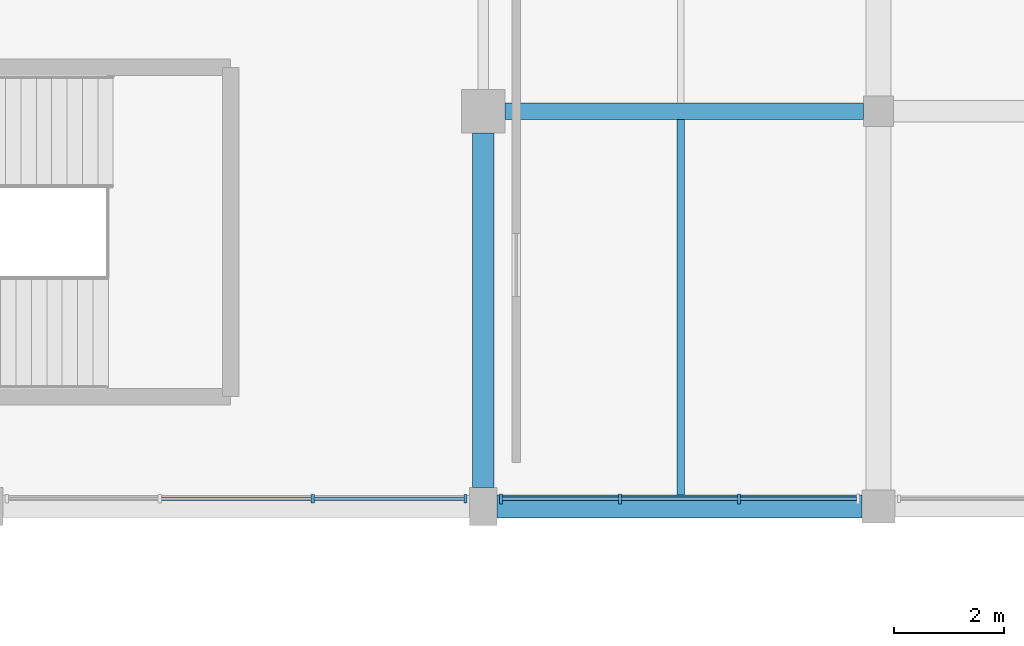
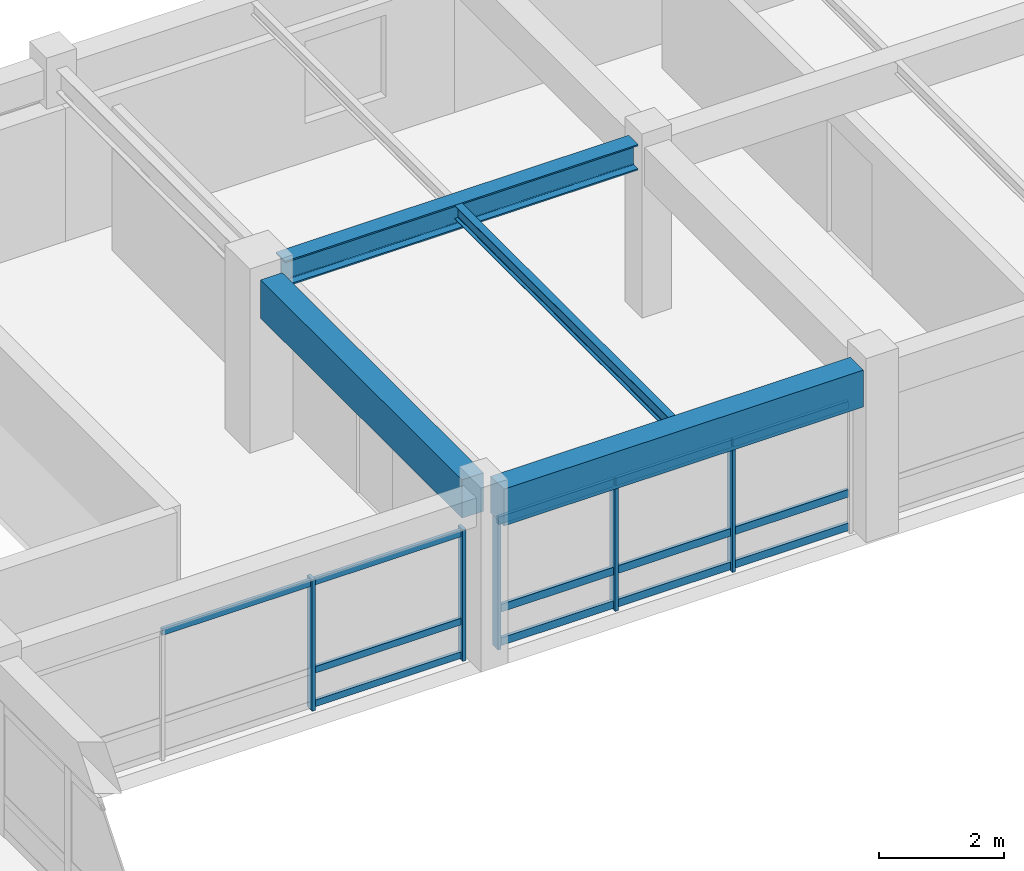
# One storey, part 24 of 74: 18 members, 4 beams, 2 elements without a shape of their own.
"""IFC4 building model written with IfcOpenShell, lengths in metres."""

from ifc_helpers import new_model, si_unit, direction, frame, origin, origin_2d, place, context, subcontext, project, spatial, rectangle, i_section, extrude, material, material_profile, profile_set, type_object, element, aggregate, save


model = new_model("IFC4")

# Units and contexts
model_context = context("Model", 3, precision=1e-05, world=origin(), true_north=direction((0.0, 1.0)))
body_context = subcontext(model_context, "Body", "Model", "MODEL_VIEW")
ifc_project = project(units=[si_unit("LENGTHUNIT", "METRE"), si_unit("AREAUNIT", "SQUARE_METRE"), si_unit("VOLUMEUNIT", "CUBIC_METRE"), si_unit("PLANEANGLEUNIT", "RADIAN"), si_unit("MASSUNIT", "GRAM", prefix="KILO")], contexts=[model_context])

# Site, building, storey
site_placement = place(None, origin())
site = spatial("IfcSite", under=ifc_project, at=site_placement, CompositionType="ELEMENT")
building_placement = place(site_placement, origin())
building = spatial("IfcBuilding", under=site, at=building_placement, Name="Clarverna Civic Hall", CompositionType="ELEMENT")
storey_placement = place(building_placement, frame((0.0, 0.0, 9.60009765625)))
storey = spatial("IfcBuildingStorey", under=building, at=storey_placement, Name="L02", CompositionType="ELEMENT", Elevation=9.60009765625)

# Beams
ifc_material_1 = material(Name="Concrete C35/45", Category="concrete")
ifc_material_profile_1 = material_profile(ifc_material_1, rectangle(XDim=0.39990234375, YDim=0.75, at=origin_2d()), Name="RC 400x750")
ifc_profile_set_1 = profile_set([ifc_material_profile_1], Name="Concrete C35/45")
beam_type_1 = type_object("IfcBeamType", Name="B-RC16", PredefinedType="BEAM", material=ifc_profile_set_1)
beam_1_placement = place(storey_placement, frame((25.199951171875, 102.550048828125, 2.94482421875), z_axis=(0.0, 1.0, 0.0), x_axis=(-1.0, 0.0, 0.0)))
element("IfcBeam", 1, at=beam_1_placement, inside=storey, type_object=beam_type_1, Name="B-RC16-027", PredefinedType="BEAM", context=body_context, shape_type="SweptSolid", body=[
    extrude(rectangle(XDim=0.39990234375, YDim=0.75, at=origin_2d()), origin(), (0.0, 0.0, 1.0), 6.449951171875),
])
ifc_material_profile_2 = material_profile(ifc_material_1, rectangle(XDim=0.419921875, YDim=0.719970703125, at=origin_2d()), Name="RC 420x720")
ifc_profile_set_2 = profile_set([ifc_material_profile_2], Name="Concrete C35/45")
beam_type_2 = type_object("IfcBeamType", Name="B-SP1", PredefinedType="SPANDREL", material=ifc_profile_set_2)
beam_2_placement = place(storey_placement, frame((25.449951171875, 102.199951171875, 2.9599609375), z_axis=(1.0, 0.0, 0.0), x_axis=(0.0, 1.0, 0.0)))
element("IfcBeam", 2, at=beam_2_placement, inside=storey, type_object=beam_type_2, Name="B-SP1-088", PredefinedType="SPANDREL", context=body_context, shape_type="SweptSolid", body=[
    extrude(rectangle(XDim=0.419921875, YDim=0.719970703125, at=origin_2d()), origin(), (0.0, 0.0, 1.0), 6.650146484375),
])
ifc_material_2 = material(Name="Steel S355", Category="steel")
ifc_material_profile_3 = material_profile(ifc_material_2, i_section(OverallWidth=0.300048828125, OverallDepth=0.5, WebThickness=0.014404296875, FlangeThickness=0.028076171875, FilletRadius=0.027099609375, at=origin_2d()), Name="HEB 500")
ifc_profile_set_3 = profile_set([ifc_material_profile_3], Name="Steel S355")
beam_type_3 = type_object("IfcBeamType", Name="B-ST2", PredefinedType="BEAM", material=ifc_profile_set_3)
beam_3_placement = place(storey_placement, frame((25.60009765625, 109.39990234375, 3.06982421875), z_axis=(1.0, 0.0, 0.0), x_axis=(0.0, 1.0, 0.0)))
element("IfcBeam", 3, at=beam_3_placement, inside=storey, type_object=beam_type_3, Name="B-ST2-006", PredefinedType="BEAM", context=body_context, shape_type="SweptSolid", body=[
    extrude(i_section(OverallWidth=0.300048828125, OverallDepth=0.5, WebThickness=0.014404296875, FlangeThickness=0.028076171875, FilletRadius=0.027099609375, at=origin_2d()), origin(), (0.0, 0.0, 1.0), 6.52490234375),
])

# Curtain wall, members
ifc_material_3 = material(Name="Anodised Bronze Architectural Aluminium", Category="aluminium")
curtain_wall_type = type_object("IfcCurtainWallType", Name="CW-04", PredefinedType="USERDEFINED", material=ifc_material_3)
curtain_wall_1_placement = place(storey_placement, origin())
curtain_wall_1 = element("IfcCurtainWall", 4, at=curtain_wall_1_placement, inside=storey, type_object=curtain_wall_type, Name="CW-04-030", ObjectType="UNITISED CURTAIN WALL", PredefinedType="USERDEFINED")
ifc_material_profile_4 = material_profile(ifc_material_3, rectangle(XDim=0.06005859375, YDim=0.179931640625, at=origin_2d()), Name="BRONZE 60x180")
ifc_profile_set_4 = profile_set([ifc_material_profile_4], Name="Anodised Bronze Architectural Aluminium")
member_type_1 = type_object("IfcMemberType", Name="CWM-01", PredefinedType="MULLION", material=ifc_profile_set_4)
member_1_placement = place(storey_placement, frame((29.85888671875, 102.340087890625, 0.0), z_axis=(0.0, 0.0, 1.0), x_axis=(1.0, 0.0, 0.0)))
member_1 = element("IfcMember", 5, at=member_1_placement, type_object=member_type_1, Name="CWM-01-118", PredefinedType="MULLION", context=body_context, shape_type="SweptSolid", body=[
    extrude(rectangle(XDim=0.06005859375, YDim=0.179931640625, at=origin_2d()), origin(), (0.0, 0.0, 1.0), 2.56982421875),
])
member_2_placement = place(storey_placement, frame((27.69091796875, 102.340087890625, 0.0), z_axis=(0.0, 0.0, 1.0), x_axis=(1.0, 0.0, 0.0)))
member_2 = element("IfcMember", 6, at=member_2_placement, type_object=member_type_1, Name="CWM-01-119", PredefinedType="MULLION", context=body_context, shape_type="SweptSolid", body=[
    extrude(rectangle(XDim=0.06005859375, YDim=0.179931640625, at=origin_2d()), origin(), (0.0, 0.0, 1.0), 2.56982421875),
])
member_3_placement = place(storey_placement, frame((25.52294921875, 102.340087890625, 0.0), z_axis=(0.0, 0.0, 1.0), x_axis=(1.0, 0.0, 0.0)))
member_3 = element("IfcMember", 7, at=member_3_placement, type_object=member_type_1, Name="CWM-01-120", PredefinedType="MULLION", context=body_context, shape_type="SweptSolid", body=[
    extrude(rectangle(XDim=0.06005859375, YDim=0.179931640625, at=origin_2d()), origin(), (0.0, 0.0, 1.0), 2.56982421875),
])

curtain_wall_2_placement = place(storey_placement, origin())
curtain_wall_2 = element("IfcCurtainWall", 8, at=curtain_wall_2_placement, inside=storey, type_object=curtain_wall_type, Name="CW-04-031", ObjectType="UNITISED CURTAIN WALL", PredefinedType="USERDEFINED")
ifc_material_profile_5 = material_profile(ifc_material_3, rectangle(XDim=0.06005859375, YDim=0.159912109375, at=origin_2d()), Name="BRONZE 60x160")
ifc_profile_set_5 = profile_set([ifc_material_profile_5], Name="Anodised Bronze Architectural Aluminium")
member_type_2 = type_object("IfcMemberType", Name="CWM-02", PredefinedType="MULLION", material=ifc_profile_set_5)
member_4_placement = place(storey_placement, frame((24.876953125, 102.340087890625, 0.0), z_axis=(0.0, 0.0, 1.0), x_axis=(1.0, 0.0, 0.0)))
member_4 = element("IfcMember", 9, at=member_4_placement, type_object=member_type_2, Name="CWM-02-145", PredefinedType="MULLION", context=body_context, shape_type="SweptSolid", body=[
    extrude(rectangle(XDim=0.06005859375, YDim=0.159912109375, at=origin_2d()), origin(), (0.0, 0.0, 1.0), 2.56982421875),
])
member_5_placement = place(storey_placement, frame((22.09228515625, 102.340087890625, 0.0), z_axis=(0.0, 0.0, 1.0), x_axis=(1.0, 0.0, 0.0)))
member_5 = element("IfcMember", 10, at=member_5_placement, type_object=member_type_2, Name="CWM-02-146", PredefinedType="MULLION", context=body_context, shape_type="SweptSolid", body=[
    extrude(rectangle(XDim=0.06005859375, YDim=0.159912109375, at=origin_2d()), origin(), (0.0, 0.0, 1.0), 2.56982421875),
])

# Member
ifc_material_profile_6 = material_profile(ifc_material_3, rectangle(XDim=0.06005859375, YDim=0.14990234375, at=origin_2d()), Name="BRONZE 60x150")
ifc_profile_set_6 = profile_set([ifc_material_profile_6], Name="Anodised Bronze Architectural Aluminium")
member_type_3 = type_object("IfcMemberType", Name="CWT-01", PredefinedType="USERDEFINED", material=ifc_profile_set_6)
member_6_placement = place(storey_placement, frame((32.011962890625, 102.340087890625, 0.094970703125), z_axis=(-1.0, 0.0, 0.0), x_axis=(0.0, -1.0, 0.0)))
member_6 = element("IfcMember", 11, at=member_6_placement, type_object=member_type_3, Name="CWT-01-247", ObjectType="TRANSOM", PredefinedType="USERDEFINED", context=body_context, shape_type="SweptSolid", body=[
    extrude(rectangle(XDim=0.06005859375, YDim=0.14990234375, at=origin_2d()), origin(), (0.0, 0.0, 1.0), 2.137939453125),
])

member_7_placement = place(storey_placement, frame((32.011962890625, 102.340087890625, 0.75), z_axis=(-1.0, 0.0, 0.0), x_axis=(0.0, -1.0, 0.0)))
member_7 = element("IfcMember", 12, at=member_7_placement, type_object=member_type_3, Name="CWT-01-248", ObjectType="TRANSOM", PredefinedType="USERDEFINED", context=body_context, shape_type="SweptSolid", body=[
    extrude(rectangle(XDim=0.06005859375, YDim=0.14990234375, at=origin_2d()), origin(), (0.0, 0.0, 1.0), 2.137939453125),
])

member_8_placement = place(storey_placement, frame((32.011962890625, 102.340087890625, 2.474853515625), z_axis=(-1.0, 0.0, 0.0), x_axis=(0.0, -1.0, 0.0)))
member_8 = element("IfcMember", 13, at=member_8_placement, type_object=member_type_3, Name="CWT-01-249", ObjectType="TRANSOM", PredefinedType="USERDEFINED", context=body_context, shape_type="SweptSolid", body=[
    extrude(rectangle(XDim=0.06005859375, YDim=0.14990234375, at=origin_2d()), origin(), (0.0, 0.0, 1.0), 2.137939453125),
])

member_9_placement = place(storey_placement, frame((29.843994140625, 102.340087890625, 0.094970703125), z_axis=(-1.0, 0.0, 0.0), x_axis=(0.0, -1.0, 0.0)))
member_9 = element("IfcMember", 14, at=member_9_placement, type_object=member_type_3, Name="CWT-01-250", ObjectType="TRANSOM", PredefinedType="USERDEFINED", context=body_context, shape_type="SweptSolid", body=[
    extrude(rectangle(XDim=0.06005859375, YDim=0.14990234375, at=origin_2d()), origin(), (0.0, 0.0, 1.0), 2.137939453125),
])

member_10_placement = place(storey_placement, frame((29.843994140625, 102.340087890625, 0.75), z_axis=(-1.0, 0.0, 0.0), x_axis=(0.0, -1.0, 0.0)))
member_10 = element("IfcMember", 15, at=member_10_placement, type_object=member_type_3, Name="CWT-01-251", ObjectType="TRANSOM", PredefinedType="USERDEFINED", context=body_context, shape_type="SweptSolid", body=[
    extrude(rectangle(XDim=0.06005859375, YDim=0.14990234375, at=origin_2d()), origin(), (0.0, 0.0, 1.0), 2.137939453125),
])

member_11_placement = place(storey_placement, frame((29.843994140625, 102.340087890625, 2.474853515625), z_axis=(-1.0, 0.0, 0.0), x_axis=(0.0, -1.0, 0.0)))
member_11 = element("IfcMember", 16, at=member_11_placement, type_object=member_type_3, Name="CWT-01-252", ObjectType="TRANSOM", PredefinedType="USERDEFINED", context=body_context, shape_type="SweptSolid", body=[
    extrude(rectangle(XDim=0.06005859375, YDim=0.14990234375, at=origin_2d()), origin(), (0.0, 0.0, 1.0), 2.137939453125),
])

member_12_placement = place(storey_placement, frame((27.676025390625, 102.340087890625, 0.094970703125), z_axis=(-1.0, 0.0, 0.0), x_axis=(0.0, -1.0, 0.0)))
member_12 = element("IfcMember", 17, at=member_12_placement, type_object=member_type_3, Name="CWT-01-253", ObjectType="TRANSOM", PredefinedType="USERDEFINED", context=body_context, shape_type="SweptSolid", body=[
    extrude(rectangle(XDim=0.06005859375, YDim=0.14990234375, at=origin_2d()), origin(), (0.0, 0.0, 1.0), 2.137939453125),
])

member_13_placement = place(storey_placement, frame((27.676025390625, 102.340087890625, 0.75), z_axis=(-1.0, 0.0, 0.0), x_axis=(0.0, -1.0, 0.0)))
member_13 = element("IfcMember", 18, at=member_13_placement, type_object=member_type_3, Name="CWT-01-254", ObjectType="TRANSOM", PredefinedType="USERDEFINED", context=body_context, shape_type="SweptSolid", body=[
    extrude(rectangle(XDim=0.06005859375, YDim=0.14990234375, at=origin_2d()), origin(), (0.0, 0.0, 1.0), 2.137939453125),
])

member_14_placement = place(storey_placement, frame((27.676025390625, 102.340087890625, 2.474853515625), z_axis=(-1.0, 0.0, 0.0), x_axis=(0.0, -1.0, 0.0)))
member_14 = element("IfcMember", 19, at=member_14_placement, type_object=member_type_3, Name="CWT-01-255", ObjectType="TRANSOM", PredefinedType="USERDEFINED", context=body_context, shape_type="SweptSolid", body=[
    extrude(rectangle(XDim=0.06005859375, YDim=0.14990234375, at=origin_2d()), origin(), (0.0, 0.0, 1.0), 2.137939453125),
])

aggregate(curtain_wall_1, [member_1, member_2, member_3, member_6, member_7, member_8, member_9, member_10, member_11, member_12, member_13, member_14])

ifc_material_profile_7 = material_profile(ifc_material_3, rectangle(XDim=0.06005859375, YDim=0.1298828125, at=origin_2d()), Name="BRONZE 60x130")
ifc_profile_set_7 = profile_set([ifc_material_profile_7], Name="Anodised Bronze Architectural Aluminium")
member_type_4 = type_object("IfcMemberType", Name="CWT-02", PredefinedType="USERDEFINED", material=ifc_profile_set_7)
member_15_placement = place(storey_placement, frame((24.862060546875, 102.340087890625, 0.094970703125), z_axis=(-1.0, 0.0, 0.0), x_axis=(0.0, -1.0, 0.0)))
member_15 = element("IfcMember", 20, at=member_15_placement, type_object=member_type_4, Name="CWT-02-304", ObjectType="TRANSOM", PredefinedType="USERDEFINED", context=body_context, shape_type="SweptSolid", body=[
    extrude(rectangle(XDim=0.06005859375, YDim=0.1298828125, at=origin_2d()), origin(), (0.0, 0.0, 1.0), 2.754638671875),
])

member_16_placement = place(storey_placement, frame((24.862060546875, 102.340087890625, 0.75), z_axis=(-1.0, 0.0, 0.0), x_axis=(0.0, -1.0, 0.0)))
member_16 = element("IfcMember", 21, at=member_16_placement, type_object=member_type_4, Name="CWT-02-305", ObjectType="TRANSOM", PredefinedType="USERDEFINED", context=body_context, shape_type="SweptSolid", body=[
    extrude(rectangle(XDim=0.06005859375, YDim=0.1298828125, at=origin_2d()), origin(), (0.0, 0.0, 1.0), 2.754638671875),
])

member_17_placement = place(storey_placement, frame((24.862060546875, 102.340087890625, 2.474853515625), z_axis=(-1.0, 0.0, 0.0), x_axis=(0.0, -1.0, 0.0)))
member_17 = element("IfcMember", 22, at=member_17_placement, type_object=member_type_4, Name="CWT-02-306", ObjectType="TRANSOM", PredefinedType="USERDEFINED", context=body_context, shape_type="SweptSolid", body=[
    extrude(rectangle(XDim=0.06005859375, YDim=0.1298828125, at=origin_2d()), origin(), (0.0, 0.0, 1.0), 2.754638671875),
])

member_18_placement = place(storey_placement, frame((22.077392578125, 102.340087890625, 2.474853515625), z_axis=(-1.0, 0.0, 0.0), x_axis=(0.0, -1.0, 0.0)))
member_18 = element("IfcMember", 23, at=member_18_placement, type_object=member_type_4, Name="CWT-02-309", ObjectType="TRANSOM", PredefinedType="USERDEFINED", context=body_context, shape_type="SweptSolid", body=[
    extrude(rectangle(XDim=0.06005859375, YDim=0.1298828125, at=origin_2d()), origin(), (0.0, 0.0, 1.0), 2.754638671875),
])

aggregate(curtain_wall_2, [member_4, member_5, member_15, member_16, member_17, member_18])

# Beam
ifc_material_profile_8 = material_profile(ifc_material_2, i_section(OverallWidth=0.135009765625, OverallDepth=0.27001953125, WebThickness=0.006591796875, FlangeThickness=0.01025390625, FilletRadius=0.014892578125, at=origin_2d()), Name="IPE 270")
ifc_profile_set_8 = profile_set([ifc_material_profile_8], Name="Steel S355")
beam_type_4 = type_object("IfcBeamType", Name="J-ST4", PredefinedType="JOIST", material=ifc_profile_set_8)
beam_4_placement = place(storey_placement, frame((28.800048828125, 102.409912109375, 3.184814453125), z_axis=(0.0, 1.0, 0.0), x_axis=(-1.0, 0.0, 0.0)))
element("IfcBeam", 24, at=beam_4_placement, inside=storey, type_object=beam_type_4, Name="J-ST4-059", PredefinedType="JOIST", context=body_context, shape_type="SweptSolid", body=[
    extrude(i_section(OverallWidth=0.135009765625, OverallDepth=0.27001953125, WebThickness=0.006591796875, FlangeThickness=0.01025390625, FilletRadius=0.014892578125, at=origin_2d()), origin(), (0.0, 0.0, 1.0), 6.840087890625),
])

save(model, "model.ifc")
